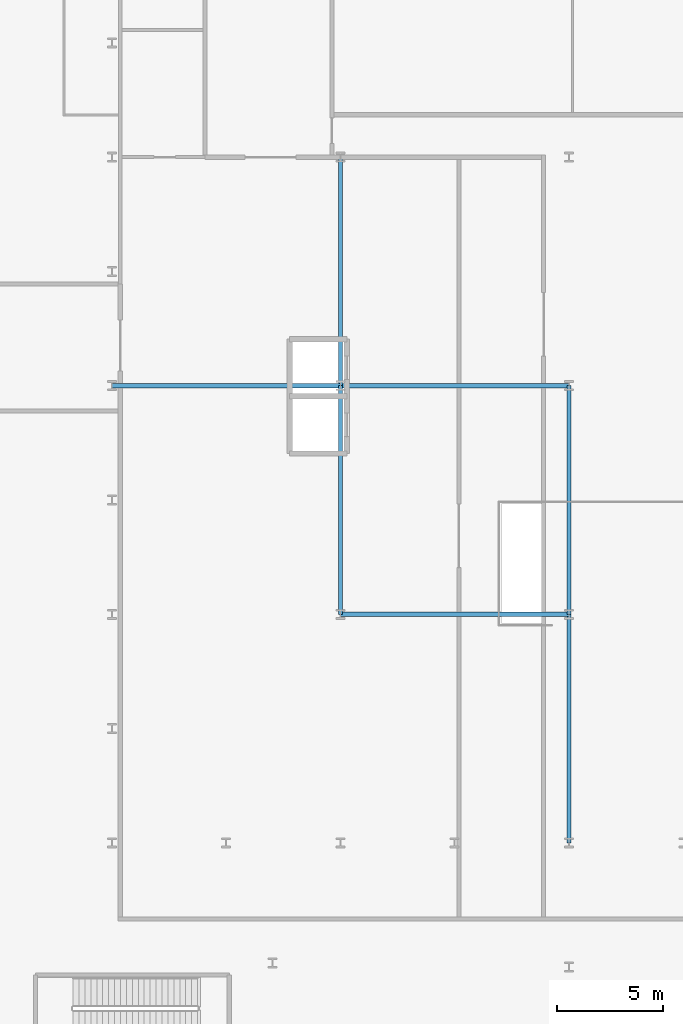
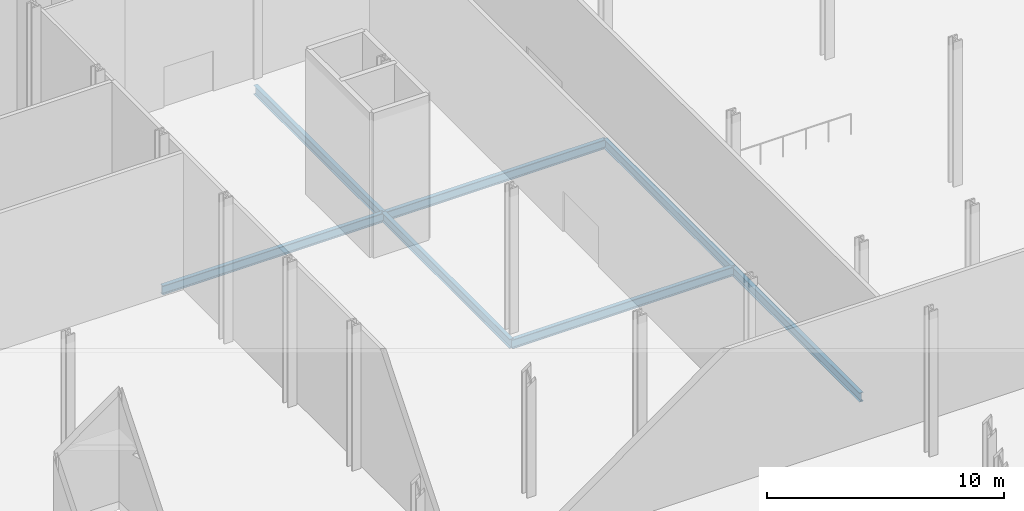
# One storey, part 8 of 46: 7 beams.
"""IFC4 building model written with IfcOpenShell, lengths in metres."""

from ifc_helpers import new_model, si_unit, direction, frame, origin, origin_2d, place, context, subcontext, project, spatial, i_section, extrude, material, material_profile, profile_set, type_object, element, save


model = new_model("IFC4")

# Units and contexts
model_context = context("Model", 3, precision=1e-05, world=origin(), true_north=direction((0.0, 1.0)))
body_context = subcontext(model_context, "Body", "Model", "MODEL_VIEW")
ifc_project = project(units=[si_unit("LENGTHUNIT", "METRE"), si_unit("AREAUNIT", "SQUARE_METRE"), si_unit("VOLUMEUNIT", "CUBIC_METRE"), si_unit("PLANEANGLEUNIT", "RADIAN"), si_unit("MASSUNIT", "GRAM", prefix="KILO")], contexts=[model_context])

# Site, building, storey
site_placement = place(None, origin())
site = spatial("IfcSite", under=ifc_project, at=site_placement, CompositionType="ELEMENT")
building_placement = place(site_placement, origin())
building = spatial("IfcBuilding", under=site, at=building_placement, Name="Kheshtan School and Residences Tower", CompositionType="ELEMENT")
storey_placement = place(building_placement, origin())
storey = spatial("IfcBuildingStorey", under=building, at=storey_placement, Name="L00", CompositionType="ELEMENT", Elevation=0.0)

# Beams
ifc_material = material(Name="Steel ASTM A992 Grade 50", Category="steel")
ifc_material_profile = material_profile(ifc_material, i_section(OverallWidth=0.194091796875, OverallDepth=0.468994140625, WebThickness=0.0126953125, FlangeThickness=0.0205078125, FilletRadius=0.01416015625, at=origin_2d()), Name="W460x106")
ifc_profile_set = profile_set([ifc_material_profile], Name="Steel ASTM A992 Grade 50")
beam_type = type_object("IfcBeamType", Name="Beam PB2 W460x106 ASTM A992 Grade 50", PredefinedType="BEAM", material=ifc_profile_set)
for number, where, z_axis, x_axis, name in (
    (1, (58.39990234375, 56.39990234375, -0.654541015625), (0.0, 1.0, 0.0), (-1.0, 0.0, 0.0), "Podium floor beam PB2"),
    (2, (58.39990234375, 67.199951171875, -0.654541015625), (0.0, 1.0, 0.0), (-1.0, 0.0, 0.0), "Podium floor beam PB2"),
):
    element("IfcBeam", number, at=place(storey_placement, frame(where, z_axis=z_axis, x_axis=x_axis)), inside=storey, type_object=beam_type, Name=name, PredefinedType="BEAM", context=body_context, shape_type="SweptSolid", body=[
        extrude(i_section(OverallWidth=0.194091796875, OverallDepth=0.468994140625, WebThickness=0.0126953125, FlangeThickness=0.0205078125, FilletRadius=0.01416015625, at=origin_2d()), origin(), (0.0, 0.0, 1.0), 10.800048828125),
    ])
beam_1_placement = place(storey_placement, frame((69.199951171875, 45.60009765625, -0.654541015625), z_axis=(0.0, 1.0, 0.0), x_axis=(-1.0, 0.0, 0.0)))
element("IfcBeam", 3, at=beam_1_placement, inside=storey, type_object=beam_type, Name="Podium floor beam PB2", PredefinedType="BEAM", context=body_context, shape_type="SweptSolid", body=[
    extrude(i_section(OverallWidth=0.194091796875, OverallDepth=0.468994140625, WebThickness=0.0126953125, FlangeThickness=0.0205078125, FilletRadius=0.01416015625, at=origin_2d()), origin(), (0.0, 0.0, 1.0), 10.7998046875),
])
for number, where, z_axis, x_axis, name in (
    (4, (69.199951171875, 56.39990234375, -0.654541015625), (0.0, 1.0, 0.0), (-1.0, 0.0, 0.0), "Podium floor beam PB2"),
    (5, (58.39990234375, 56.39990234375, -0.654541015625), (1.0, 0.0, 0.0), (0.0, 1.0, 0.0), "Podium floor beam PB2"),
):
    element("IfcBeam", number, at=place(storey_placement, frame(where, z_axis=z_axis, x_axis=x_axis)), inside=storey, type_object=beam_type, Name=name, PredefinedType="BEAM", context=body_context, shape_type="SweptSolid", body=[
        extrude(i_section(OverallWidth=0.194091796875, OverallDepth=0.468994140625, WebThickness=0.0126953125, FlangeThickness=0.0205078125, FilletRadius=0.01416015625, at=origin_2d()), origin(), (0.0, 0.0, 1.0), 10.800048828125),
    ])
beam_2_placement = place(storey_placement, frame((47.60009765625, 67.199951171875, -0.654541015625), z_axis=(1.0, 0.0, 0.0), x_axis=(0.0, 1.0, 0.0)))
element("IfcBeam", 6, at=beam_2_placement, inside=storey, type_object=beam_type, Name="Podium floor beam PB2", PredefinedType="BEAM", context=body_context, shape_type="SweptSolid", body=[
    extrude(i_section(OverallWidth=0.194091796875, OverallDepth=0.468994140625, WebThickness=0.0126953125, FlangeThickness=0.0205078125, FilletRadius=0.01416015625, at=origin_2d()), origin(), (0.0, 0.0, 1.0), 10.7998046875),
])
beam_3_placement = place(storey_placement, frame((58.39990234375, 67.199951171875, -0.654541015625), z_axis=(1.0, 0.0, 0.0), x_axis=(0.0, 1.0, 0.0)))
element("IfcBeam", 7, at=beam_3_placement, inside=storey, type_object=beam_type, Name="Podium floor beam PB2", PredefinedType="BEAM", context=body_context, shape_type="SweptSolid", body=[
    extrude(i_section(OverallWidth=0.194091796875, OverallDepth=0.468994140625, WebThickness=0.0126953125, FlangeThickness=0.0205078125, FilletRadius=0.01416015625, at=origin_2d()), origin(), (0.0, 0.0, 1.0), 10.800048828125),
])

save(model, "model.ifc")
